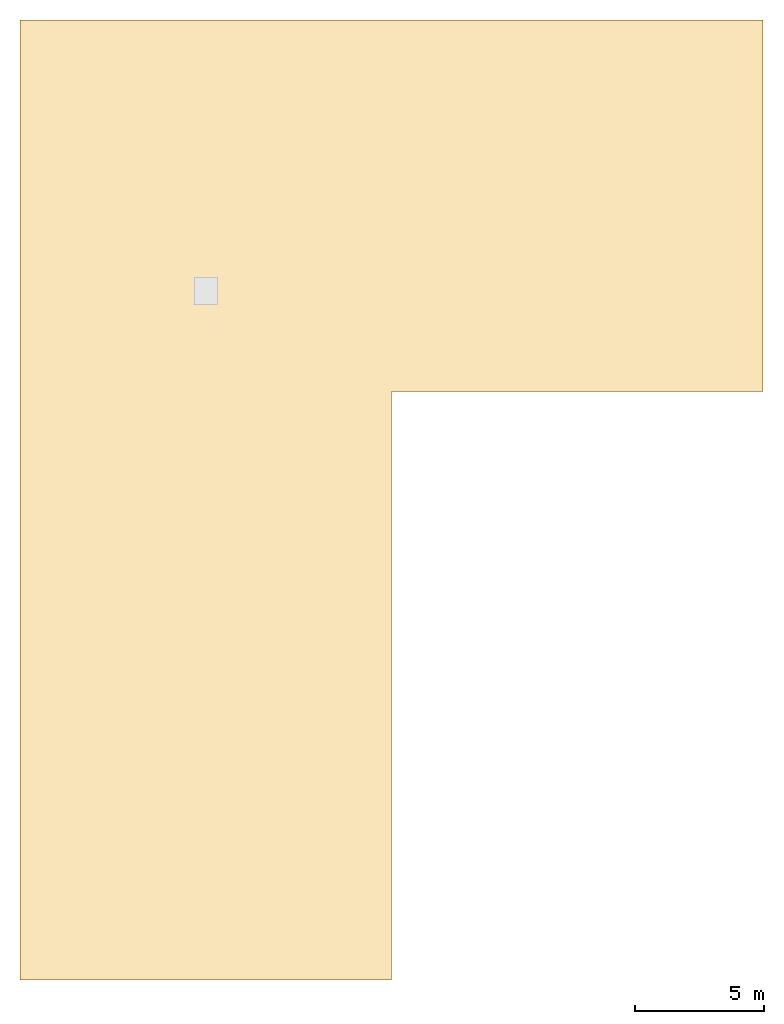
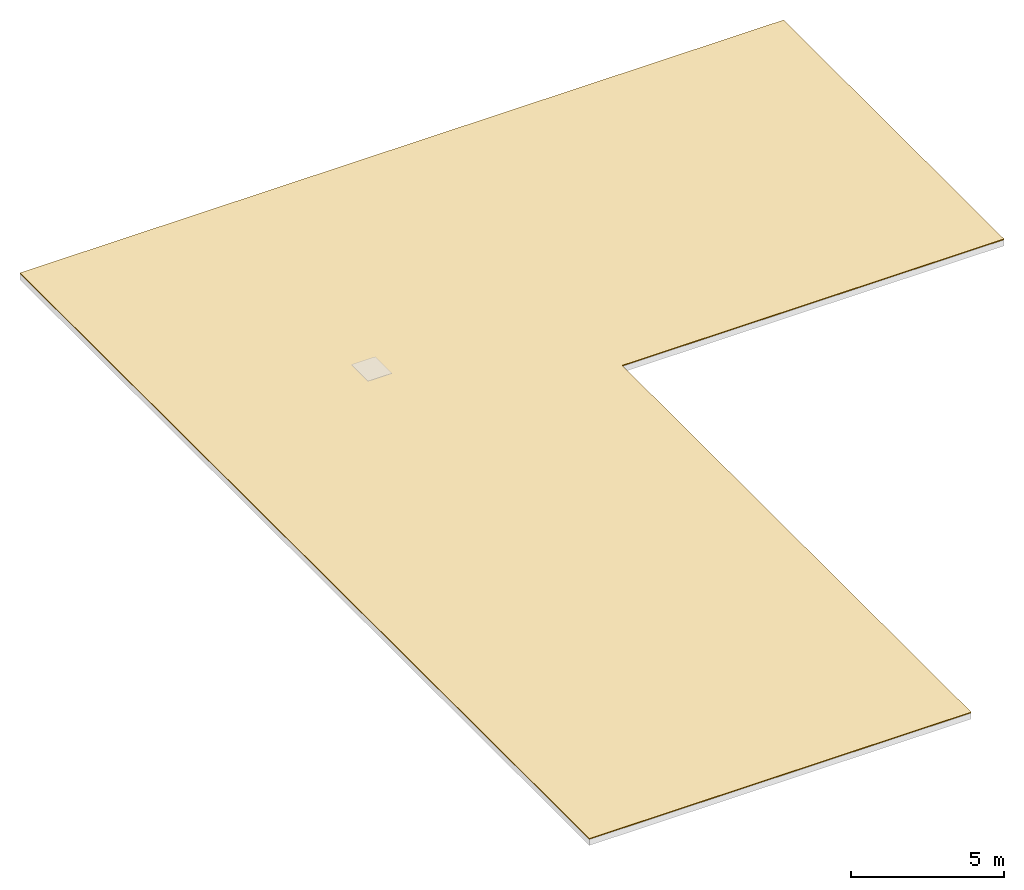
# One storey, part 2 of 2: 1 covering.
"""IFC4 building model written with IfcOpenShell, lengths in metres."""

from ifc_helpers import new_model, si_unit, direction, frame, origin, place, context, subcontext, project, spatial, polyline, outline, extrude, material, layer, layer_set, type_object, element, save


model = new_model("IFC4")

# Units and contexts
model_context = context("Model", 3, precision=1e-05, world=origin(), true_north=direction((0.0, 1.0)))
body_context = subcontext(model_context, "Body", "Model", "MODEL_VIEW")
ifc_project = project(units=[si_unit("LENGTHUNIT", "METRE"), si_unit("AREAUNIT", "SQUARE_METRE"), si_unit("VOLUMEUNIT", "CUBIC_METRE"), si_unit("PLANEANGLEUNIT", "RADIAN"), si_unit("MASSUNIT", "GRAM", prefix="KILO"), si_unit("THERMODYNAMICTEMPERATUREUNIT", "KELVIN")], contexts=[model_context])

# Site, building, storey
site_placement = place(None, origin())
site = spatial("IfcSite", under=ifc_project, at=site_placement, CompositionType="ELEMENT")
building_placement = place(site_placement, origin())
building = spatial("IfcBuilding", under=site, at=building_placement, Name="Thalorik Housing Commons", CompositionType="ELEMENT")
storey_placement = place(building_placement, frame((0.0, 0.0, 54.300048828125)))
storey = spatial("IfcBuildingStorey", under=building, at=storey_placement, Name="Roof", CompositionType="ELEMENT", Elevation=54.300048828125)

# Covering
ifc_material = material(Name="Reflective white TPO roofing membrane and rigid insulation")
ifc_layer = layer(ifc_material, 0.034912109375, Name="Reflective white TPO roofing membrane and rigid insulation")
ifc_layer_set = layer_set([ifc_layer], Name="Reflective white TPO roofing membrane and rigid insulation")
covering_type = type_object("IfcCoveringType", Name="ARC-ROOF-MEM-35", PredefinedType="ROOFING", material=ifc_layer_set)
covering_placement = place(storey_placement, origin())
element("IfcCovering", 1, at=covering_placement, inside=storey, type_object=covering_type, Name="Roof Block A Waterproofing Membrane", PredefinedType="ROOFING", context=body_context, shape_type="SweptSolid", body=[
    extrude(outline(polyline([(22.800048828125, 109.199951171875), (37.199951171875, 109.199951171875), (37.199951171875, 123.60009765625), (8.39990234375, 123.60009765625), (8.39990234375, 109.199951171875), (8.39990234375, 86.39990234375), (22.800048828125, 86.39990234375), (22.800048828125, 109.199951171875)])), origin(), (0.0, 0.0, 1.0), 0.034912109375),
])

save(model, "model.ifc")
